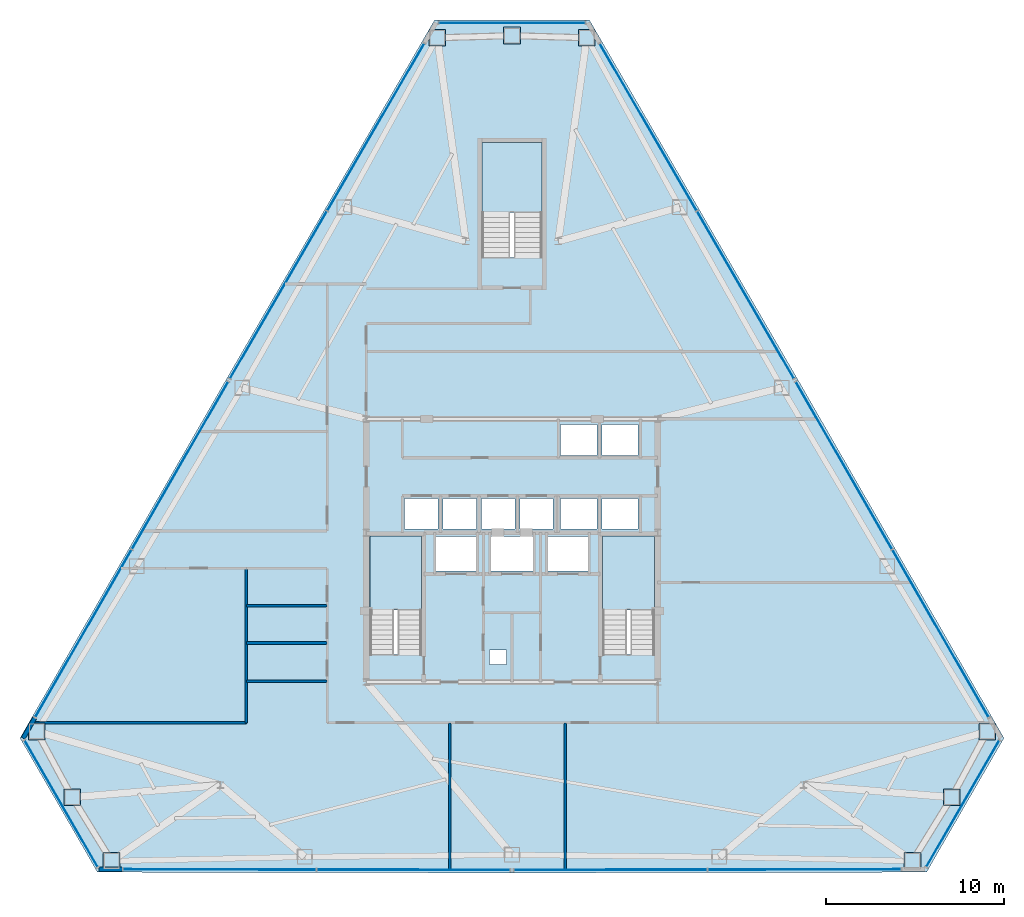
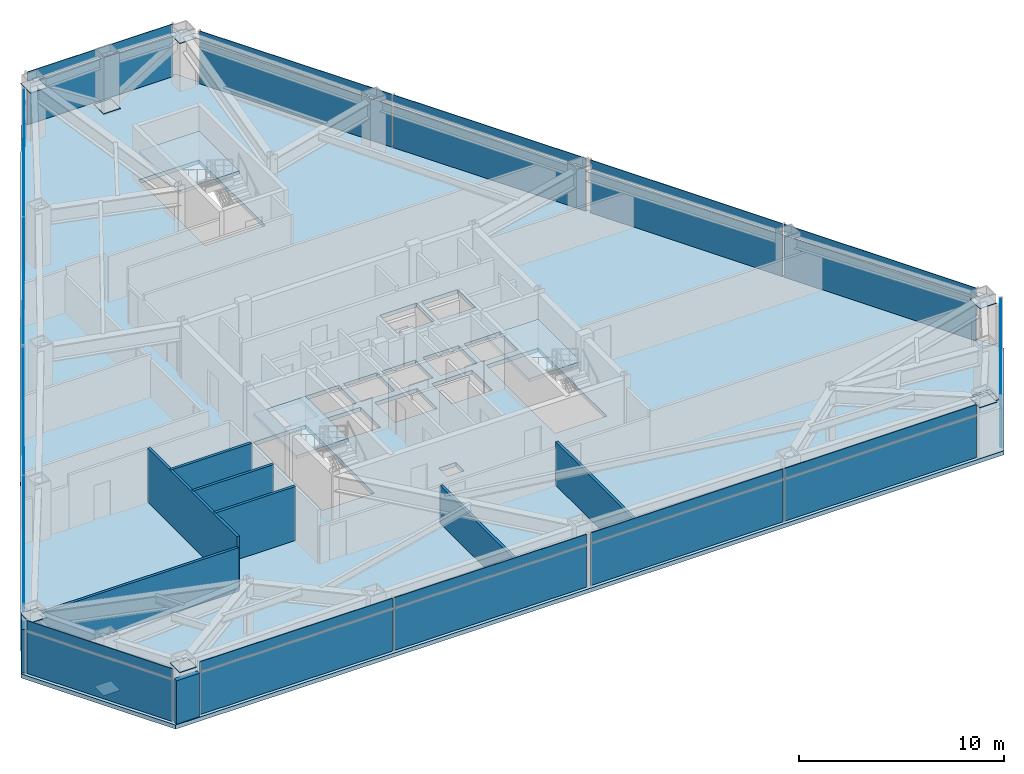
# One storey, part 9 of 13: 39 plates, 9 walls, 4 slabs, 12 elements without a shape of their own.
"""IFC4 building model written with IfcOpenShell, lengths in metres."""

from ifc_helpers import new_model, si_unit, direction, frame, frame_2d, origin, origin_2d, place, context, subcontext, project, spatial, polyline, rectangle, outline, extrude, source, transform, mapped, material, layer, layer_set, type_object, type_shapes, element, aggregate, save


model = new_model("IFC4")

# Units and contexts
model_context = context("Model", 3, precision=1e-05, world=origin(), true_north=direction((0.0, 1.0)))
body_context = subcontext(model_context, "Body", "Model", "MODEL_VIEW")
ifc_project = project(units=[si_unit("LENGTHUNIT", "METRE"), si_unit("AREAUNIT", "SQUARE_METRE"), si_unit("VOLUMEUNIT", "CUBIC_METRE"), si_unit("PLANEANGLEUNIT", "RADIAN"), si_unit("MASSUNIT", "GRAM", prefix="KILO")], contexts=[model_context])

# Site, building, storey
site_placement = place(None, origin())
site = spatial("IfcSite", under=ifc_project, at=site_placement, CompositionType="ELEMENT")
building_placement = place(site_placement, origin())
building = spatial("IfcBuilding", under=site, at=building_placement, Name="Varakhsha Concourse Tower", CompositionType="ELEMENT")
storey_placement = place(building_placement, frame((0.0, 0.0, 122.89990234375)))
storey = spatial("IfcBuildingStorey", under=building, at=storey_placement, Name="L35", CompositionType="ELEMENT", Elevation=122.89990234375)

# Slab
ifc_material_1 = material(Name="Concrete fc 45 MPa", Category="concrete")
ifc_layer_1 = layer(ifc_material_1, 0.239990234375, Name="SL-FLR-240")
ifc_layer_set_1 = layer_set([ifc_layer_1], Name="Concrete fc 45 MPa")
slab_type_1 = type_object("IfcSlabType", Name="SL-FLR-240", PredefinedType="FLOOR", material=ifc_layer_set_1)
slab_1_placement = place(storey_placement, frame((0.0, 0.0, -0.239990234375)))
element("IfcSlab", 1, at=slab_1_placement, inside=storey, type_object=slab_type_1, Name="L35 Composite Structural Slab", PredefinedType="FLOOR", context=body_context, shape_type="SweptSolid", body=[
    extrude(outline(polyline([(44.357177734375, 53.6533203125), (35.642822265625, 53.6533203125), (23.943359375, 33.47021484375), (12.314208984375, 13.246826171875), (16.67138671875, 5.699951171875), (40.0, 5.6591796875), (63.32861328125, 5.699951171875), (67.685791015625, 13.246826171875), (56.056640625, 33.47021484375), (44.357177734375, 53.6533203125)]), holes=[polyline([(34.919921875, 17.93994140625), (34.919921875, 24.6298828125), (32.0, 24.6298828125), (32.0, 17.93994140625), (34.919921875, 17.93994140625)]), polyline([(48.02001953125, 17.93994140625), (48.02001953125, 24.6298828125), (45.10009765625, 24.6298828125), (45.10009765625, 17.93994140625), (48.02001953125, 17.93994140625)]), polyline([(41.699951171875, 40.300048828125), (41.699951171875, 46.75), (38.300048828125, 46.75), (38.300048828125, 40.300048828125), (41.699951171875, 40.300048828125)]), polyline([(33.9599609375, 25.0), (35.840087890625, 25.0), (35.840087890625, 26.739990234375), (33.9599609375, 26.739990234375), (33.9599609375, 25.0)]), polyline([(36.1201171875, 25.0), (38.0, 25.0), (38.0, 26.739990234375), (36.1201171875, 26.739990234375), (36.1201171875, 25.0)]), polyline([(38.280029296875, 25.0), (40.159912109375, 25.0), (40.159912109375, 26.739990234375), (38.280029296875, 26.739990234375), (38.280029296875, 25.0)]), polyline([(40.43994140625, 25.0), (42.320068359375, 25.0), (42.320068359375, 26.739990234375), (40.43994140625, 26.739990234375), (40.43994140625, 25.0)]), polyline([(42.739990234375, 29.159912109375), (44.780029296875, 29.159912109375), (44.780029296875, 30.89990234375), (42.739990234375, 30.89990234375), (42.739990234375, 29.159912109375)]), polyline([(45.06005859375, 29.159912109375), (47.10009765625, 29.159912109375), (47.10009765625, 30.89990234375), (45.06005859375, 30.89990234375), (45.06005859375, 29.159912109375)]), polyline([(42.739990234375, 25.0), (44.780029296875, 25.0), (44.780029296875, 26.739990234375), (42.739990234375, 26.739990234375), (42.739990234375, 25.0)]), polyline([(45.06005859375, 25.0), (47.10009765625, 25.0), (47.10009765625, 26.739990234375), (45.06005859375, 26.739990234375), (45.06005859375, 25.0)]), polyline([(35.7099609375, 22.639892578125), (37.989990234375, 22.639892578125), (37.989990234375, 24.60009765625), (35.7099609375, 24.60009765625), (35.7099609375, 22.639892578125)]), polyline([(42.010009765625, 22.639892578125), (44.2900390625, 22.639892578125), (44.2900390625, 24.60009765625), (42.010009765625, 24.60009765625), (42.010009765625, 22.639892578125)]), polyline([(38.81005859375, 22.639892578125), (41.18994140625, 22.639892578125), (41.18994140625, 24.60009765625), (38.81005859375, 24.60009765625), (38.81005859375, 22.639892578125)]), polyline([(38.719970703125, 17.39990234375), (39.679931640625, 17.39990234375), (39.679931640625, 18.199951171875), (38.719970703125, 18.199951171875), (38.719970703125, 17.39990234375)])]), origin(), (0.0, 0.0, 1.0), 0.239990234375),
])

# Stair, slab
stair_type_1 = type_object("IfcStairType", Name="ST-DOGLEG-1360", PredefinedType="HALF_TURN_STAIR", material=ifc_material_1)
stair_1_placement = place(storey_placement, origin())
stair_1 = element("IfcStair", 2, at=stair_1_placement, inside=storey, type_object=stair_type_1, Name="L35 Protected Exit Stair ST1", PredefinedType="HALF_TURN_STAIR")
ifc_layer_2 = layer(ifc_material_1, 0.199951171875, Name="SL-LAND-200")
ifc_layer_set_2 = layer_set([ifc_layer_2], Name="Concrete fc 45 MPa")
slab_type_2 = type_object("IfcSlabType", Name="SL-LAND-200", PredefinedType="LANDING", material=ifc_layer_set_2)
slab_2_placement = place(storey_placement, frame((0.0, 0.0, 1.525146484375)))
slab_2 = element("IfcSlab", 3, at=slab_2_placement, type_object=slab_type_2, Name="ST1 landing 1", PredefinedType="LANDING", context=body_context, shape_type="SweptSolid", body=[
    extrude(outline(polyline([(34.919921875, 20.4599609375), (34.919921875, 24.6298828125), (32.0, 24.6298828125), (32.0, 20.4599609375), (34.919921875, 20.4599609375)])), origin(), (0.0, 0.0, 1.0), 0.199951171875),
])
aggregate(stair_1, [slab_2])

stair_2_placement = place(storey_placement, origin())
stair_2 = element("IfcStair", 4, at=stair_2_placement, inside=storey, type_object=stair_type_1, Name="L35 Protected Exit Stair ST2", PredefinedType="HALF_TURN_STAIR")
slab_3_placement = place(storey_placement, frame((0.0, 0.0, 1.525146484375)))
slab_3 = element("IfcSlab", 5, at=slab_3_placement, type_object=slab_type_2, Name="ST2 landing 1", PredefinedType="LANDING", context=body_context, shape_type="SweptSolid", body=[
    extrude(outline(polyline([(48.02001953125, 20.4599609375), (48.02001953125, 24.6298828125), (45.10009765625, 24.6298828125), (45.10009765625, 20.4599609375), (48.02001953125, 20.4599609375)])), origin(), (0.0, 0.0, 1.0), 0.199951171875),
])
aggregate(stair_2, [slab_3])

stair_type_2 = type_object("IfcStairType", Name="ST-DOGLEG-1600", PredefinedType="HALF_TURN_STAIR", material=ifc_material_1)
stair_3_placement = place(storey_placement, origin())
stair_3 = element("IfcStair", 6, at=stair_3_placement, inside=storey, type_object=stair_type_2, Name="L35 Protected Exit Stair ST5", PredefinedType="HALF_TURN_STAIR")
slab_4_placement = place(storey_placement, frame((0.0, 0.0, 1.525146484375)))
slab_4 = element("IfcSlab", 7, at=slab_4_placement, type_object=slab_type_2, Name="ST5 landing 1", PredefinedType="LANDING", context=body_context, shape_type="SweptSolid", body=[
    extrude(outline(polyline([(41.699951171875, 42.820068359375), (41.699951171875, 46.75), (38.300048828125, 46.75), (38.300048828125, 42.820068359375), (41.699951171875, 42.820068359375)])), origin(), (0.0, 0.0, 1.0), 0.199951171875),
])
aggregate(stair_3, [slab_4])

# Plates
ifc_material_2 = material(Name="Structural Steel ASTM A572 Grade 50", Category="steel")
ifc_layer_3 = layer(ifc_material_2, 0.030029296875, Name="PL-ENDCAP-950")
ifc_layer_set_3 = layer_set([ifc_layer_3], Name="Structural Steel ASTM A572 Grade 50")
plate_type_1 = type_object("IfcPlateType", Name="PL-ENDCAP-950", PredefinedType="USERDEFINED", material=ifc_layer_set_3)
shared_shape_1 = source(origin(), body_context, "Body", "SweptSolid", [
    extrude(rectangle(XDim=0.949951171875, YDim=0.949951171875, at=origin_2d()), origin(), (0.0, 0.0, 1.0), 0.030029296875),
])
type_shapes(plate_type_1, [shared_shape_1])
for number, where, z_axis, x_axis, name in (
    (8, (40.0, 52.773193359375, 0.10498046875), (0.0, 0.0, 1.0), (1.0, 0.0, 0.0), "Hollow Section End Cap GP-NODE-L35-0334"),
    (9, (44.208984375, 52.652099609375, 2.89501953125), (0.0, 0.0, 1.0), (1.0, 0.0, 0.0), "Hollow Section End Cap GP-NODE-L35-0335"),
    (10, (35.791015625, 52.652099609375, 2.89501953125), (0.0, 0.0, 1.0), (1.0, 0.0, 0.0), "Hollow Section End Cap GP-NODE-L35-0336"),
    (11, (15.2548828125, 9.913330078125, 0.10498046875), (0.0, 0.0, 1.0), (1.0, 0.0, 0.0), "Hollow Section End Cap GP-NODE-L35-0337"),
    (12, (13.255126953125, 13.619140625, 2.89501953125), (0.0, 0.0, 1.0), (1.0, 0.0, 0.0), "Hollow Section End Cap GP-NODE-L35-0338"),
    (13, (17.46435546875, 6.328857421875, 2.89501953125), (0.0, 0.0, 1.0), (1.0, 0.0, 0.0), "Hollow Section End Cap GP-NODE-L35-0339"),
    (14, (64.7451171875, 9.913330078125, 0.10498046875), (0.0, 0.0, 1.0), (1.0, 0.0, 0.0), "Hollow Section End Cap GP-NODE-L35-0340"),
    (15, (62.53564453125, 6.328857421875, 2.89501953125), (0.0, 0.0, 1.0), (1.0, 0.0, 0.0), "Hollow Section End Cap GP-NODE-L35-0341"),
    (16, (66.744873046875, 13.619140625, 2.89501953125), (0.0, 0.0, 1.0), (1.0, 0.0, 0.0), "Hollow Section End Cap GP-NODE-L35-0342"),
):
    element("IfcPlate", number, at=place(storey_placement, frame(where, z_axis=z_axis, x_axis=x_axis)), inside=storey, type_object=plate_type_1, Name=name, ObjectType="END PLATE", PredefinedType="USERDEFINED", context=body_context, shape_type="MappedRepresentation", body=[
        mapped(shared_shape_1, transform((0.0, 0.0, 0.0), scale=1.0)),
    ])

# Curtain wall, plate
ifc_material_3 = material(Name="Anodised Bronze Architectural Aluminium AA 6063-T6", Category="aluminium")
ifc_layer_4 = layer(ifc_material_3, 0.2099609375, Name="CW-SYS-04")
ifc_layer_set_4 = layer_set([ifc_layer_4], Name="Anodised Bronze Architectural Aluminium AA 6063-T6")
curtain_wall_type = type_object("IfcCurtainWallType", Name="CW-SYS-04", PredefinedType="NOTDEFINED", material=ifc_layer_set_4)
curtain_wall_1_placement = place(storey_placement, origin())
curtain_wall_1 = element("IfcCurtainWall", 17, at=curtain_wall_1_placement, inside=storey, type_object=curtain_wall_type, Name="L35 Crystal Curtain Wall F2", PredefinedType="NOTDEFINED")
ifc_material_4 = material(Name="Low-E Triple Insulating Glass IGU 44 mm", Category="glass")
ifc_layer_5 = layer(ifc_material_4, 0.0439453125, Name="CWP-IGU-44")
ifc_layer_set_5 = layer_set([ifc_layer_5], Name="Low-E Triple Insulating Glass IGU 44 mm")
plate_type_2 = type_object("IfcPlateType", Name="CWP-IGU-44", PredefinedType="CURTAIN_PANEL", material=ifc_layer_set_5)
shared_shape_2 = source(origin(), body_context, "Body", "SweptSolid", [
    extrude(rectangle(XDim=10.83544921875, YDim=0.0439453125, at=origin_2d()), origin(), (0.0, 0.0, 1.0), 2.490966796875),
])
plate_1_placement = place(storey_placement, frame((26.858642578125, 38.1806640625, 0.03466796875), z_axis=(0.0, 0.0, 1.0), x_axis=(0.501513757105, 0.865149669962, 0.0)))
plate_1 = element("IfcPlate", 18, at=plate_1_placement, type_object=plate_type_2, Name="CW-L35-F2 Panel 00-00", PredefinedType="CURTAIN_PANEL", context=body_context, shape_type="MappedRepresentation", body=[
    mapped(shared_shape_2, transform((0.0, 0.0, 0.0), scale=1.0)),
])

curtain_wall_2_placement = place(storey_placement, origin())
curtain_wall_2 = element("IfcCurtainWall", 19, at=curtain_wall_2_placement, inside=storey, type_object=curtain_wall_type, Name="L35 Crystal Curtain Wall F9", PredefinedType="NOTDEFINED")
plate_2_placement = place(storey_placement, frame((47.667724609375, 47.623046875, 0.03466796875), z_axis=(0.0, 0.0, 1.0), x_axis=(0.501513757105, -0.865149669962, 0.0)))
plate_2 = element("IfcPlate", 20, at=plate_2_placement, type_object=plate_type_2, Name="CW-L35-F9 Panel 00-00", PredefinedType="CURTAIN_PANEL", context=body_context, shape_type="MappedRepresentation", body=[
    mapped(shared_shape_2, transform((0.0, 0.0, 0.0), scale=1.0)),
])

# Plate
ifc_material_5 = material(Name="Glazed Turquoise-Bronze Ceramic Spandrel Panel 38 mm", Category="ceramic")
ifc_layer_6 = layer(ifc_material_5, 0.0380859375, Name="CWP-SPN-38")
ifc_layer_set_6 = layer_set([ifc_layer_6], Name="Glazed Turquoise-Bronze Ceramic Spandrel Panel 38 mm")
plate_type_3 = type_object("IfcPlateType", Name="CWP-SPN-38", PredefinedType="USERDEFINED", material=ifc_layer_set_6)
shared_shape_3 = source(origin(), body_context, "Body", "SweptSolid", [
    extrude(rectangle(XDim=10.83544921875, YDim=0.0380859375, at=origin_2d()), origin(), (0.0, 0.0, 1.0), 0.5810546875),
])
plate_3_placement = place(storey_placement, frame((26.858642578125, 38.1806640625, 2.594482421875), z_axis=(0.0, 0.0, 1.0), x_axis=(0.501513757105, 0.865149669962, 0.0)))
plate_3 = element("IfcPlate", 21, at=plate_3_placement, type_object=plate_type_3, Name="CW-L35-F2 Panel 00-01", ObjectType="SPANDREL", PredefinedType="USERDEFINED", context=body_context, shape_type="MappedRepresentation", body=[
    mapped(shared_shape_3, transform((0.0, 0.0, 0.0), scale=1.0)),
])

plate_4_placement = place(storey_placement, frame((47.667724609375, 47.623046875, 2.594482421875), z_axis=(0.0, 0.0, 1.0), x_axis=(0.501513757105, -0.865149669962, 0.0)))
plate_4 = element("IfcPlate", 22, at=plate_4_placement, type_object=plate_type_3, Name="CW-L35-F9 Panel 00-01", ObjectType="SPANDREL", PredefinedType="USERDEFINED", context=body_context, shape_type="MappedRepresentation", body=[
    mapped(shared_shape_3, transform((0.0, 0.0, 0.0), scale=1.0)),
])

shared_shape_4 = source(origin(), body_context, "Body", "SweptSolid", [
    extrude(rectangle(XDim=10.835205078125, YDim=0.0439453125, at=origin_2d()), origin(), (0.0, 0.0, 1.0), 2.490966796875),
])
type_shapes(plate_type_2, [shared_shape_2, shared_shape_4])
plate_5_placement = place(storey_placement, frame((32.33251953125, 47.623046875, 0.03466796875), z_axis=(0.0, 0.0, 1.0), x_axis=(0.501513757105, 0.865149669962, 0.0)))
plate_5 = element("IfcPlate", 23, at=plate_5_placement, type_object=plate_type_2, Name="CW-L35-F2 Panel 01-00", PredefinedType="CURTAIN_PANEL", context=body_context, shape_type="MappedRepresentation", body=[
    mapped(shared_shape_4, transform((0.0, 0.0, 0.0), scale=1.0)),
])

# Curtain wall, plates
curtain_wall_3_placement = place(storey_placement, origin())
curtain_wall_3 = element("IfcCurtainWall", 24, at=curtain_wall_3_placement, inside=storey, type_object=curtain_wall_type, Name="L35 Crystal Curtain Wall F3", PredefinedType="NOTDEFINED")
plate_6_placement = place(storey_placement, frame((15.881103515625, 19.12890625, 0.03466796875), z_axis=(0.0, 0.0, 1.0), x_axis=(0.498489252773, 0.866895878909, 0.0)))
plate_6 = element("IfcPlate", 25, at=plate_6_placement, type_object=plate_type_2, Name="CW-L35-F3 Panel 00-00", PredefinedType="CURTAIN_PANEL", context=body_context, shape_type="MappedRepresentation", body=[
    mapped(shared_shape_4, transform((0.0, 0.0, 0.0), scale=1.0)),
])
plate_7_placement = place(storey_placement, frame((21.32177734375, 28.59033203125, 0.03466796875), z_axis=(0.0, 0.0, 1.0), x_axis=(0.498489252773, 0.866895878909, 0.0)))
plate_7 = element("IfcPlate", 26, at=plate_7_placement, type_object=plate_type_2, Name="CW-L35-F3 Panel 01-00", PredefinedType="CURTAIN_PANEL", context=body_context, shape_type="MappedRepresentation", body=[
    mapped(shared_shape_4, transform((0.0, 0.0, 0.0), scale=1.0)),
])

curtain_wall_4_placement = place(storey_placement, origin())
curtain_wall_4 = element("IfcCurtainWall", 27, at=curtain_wall_4_placement, inside=storey, type_object=curtain_wall_type, Name="L35 Crystal Curtain Wall F5", PredefinedType="NOTDEFINED")
plate_8_placement = place(storey_placement, frame((34.463134765625, 5.828857421875, 0.03466796875), z_axis=(0.0, 0.0, 1.0), x_axis=(-0.999998476913, 0.001745328366, 0.0)))
plate_8 = element("IfcPlate", 28, at=plate_8_placement, type_object=plate_type_2, Name="CW-L35-F5 Panel 00-00", PredefinedType="CURTAIN_PANEL", context=body_context, shape_type="MappedRepresentation", body=[
    mapped(shared_shape_4, transform((0.0, 0.0, 0.0), scale=1.0)),
])
plate_9_placement = place(storey_placement, frame((23.548828125, 5.847900390625, 0.03466796875), z_axis=(0.0, 0.0, 1.0), x_axis=(-0.999998476913, 0.001745328366, 0.0)))
plate_9 = element("IfcPlate", 29, at=plate_9_placement, type_object=plate_type_2, Name="CW-L35-F5 Panel 01-00", PredefinedType="CURTAIN_PANEL", context=body_context, shape_type="MappedRepresentation", body=[
    mapped(shared_shape_4, transform((0.0, 0.0, 0.0), scale=1.0)),
])

curtain_wall_5_placement = place(storey_placement, origin())
curtain_wall_5 = element("IfcCurtainWall", 30, at=curtain_wall_5_placement, inside=storey, type_object=curtain_wall_type, Name="L35 Crystal Curtain Wall F6", PredefinedType="NOTDEFINED")
plate_10_placement = place(storey_placement, frame((56.451171875, 5.847900390625, 0.03466796875), z_axis=(0.0, 0.0, 1.0), x_axis=(-0.999998476913, -0.001745328366, 0.0)))
plate_10 = element("IfcPlate", 31, at=plate_10_placement, type_object=plate_type_2, Name="CW-L35-F6 Panel 00-00", PredefinedType="CURTAIN_PANEL", context=body_context, shape_type="MappedRepresentation", body=[
    mapped(shared_shape_4, transform((0.0, 0.0, 0.0), scale=1.0)),
])
plate_11_placement = place(storey_placement, frame((45.536865234375, 5.828857421875, 0.03466796875), z_axis=(0.0, 0.0, 1.0), x_axis=(-0.999998476913, -0.001745328366, 0.0)))
plate_11 = element("IfcPlate", 32, at=plate_11_placement, type_object=plate_type_2, Name="CW-L35-F6 Panel 01-00", PredefinedType="CURTAIN_PANEL", context=body_context, shape_type="MappedRepresentation", body=[
    mapped(shared_shape_4, transform((0.0, 0.0, 0.0), scale=1.0)),
])

curtain_wall_6_placement = place(storey_placement, origin())
curtain_wall_6 = element("IfcCurtainWall", 33, at=curtain_wall_6_placement, inside=storey, type_object=curtain_wall_type, Name="L35 Crystal Curtain Wall F8", PredefinedType="NOTDEFINED")
plate_12_placement = place(storey_placement, frame((58.67822265625, 28.59033203125, 0.03466796875), z_axis=(0.0, 0.0, 1.0), x_axis=(0.498489252773, -0.866895878909, 0.0)))
plate_12 = element("IfcPlate", 34, at=plate_12_placement, type_object=plate_type_2, Name="CW-L35-F8 Panel 00-00", PredefinedType="CURTAIN_PANEL", context=body_context, shape_type="MappedRepresentation", body=[
    mapped(shared_shape_4, transform((0.0, 0.0, 0.0), scale=1.0)),
])
plate_13_placement = place(storey_placement, frame((64.118896484375, 19.12890625, 0.03466796875), z_axis=(0.0, 0.0, 1.0), x_axis=(0.498489252773, -0.866895878909, 0.0)))
plate_13 = element("IfcPlate", 35, at=plate_13_placement, type_object=plate_type_2, Name="CW-L35-F8 Panel 01-00", PredefinedType="CURTAIN_PANEL", context=body_context, shape_type="MappedRepresentation", body=[
    mapped(shared_shape_4, transform((0.0, 0.0, 0.0), scale=1.0)),
])

# Plate
plate_14_placement = place(storey_placement, frame((53.141357421875, 38.1806640625, 0.03466796875), z_axis=(0.0, 0.0, 1.0), x_axis=(0.501513757105, -0.865149669962, 0.0)))
plate_14 = element("IfcPlate", 36, at=plate_14_placement, type_object=plate_type_2, Name="CW-L35-F9 Panel 01-00", PredefinedType="CURTAIN_PANEL", context=body_context, shape_type="MappedRepresentation", body=[
    mapped(shared_shape_4, transform((0.0, 0.0, 0.0), scale=1.0)),
])

shared_shape_5 = source(origin(), body_context, "Body", "SweptSolid", [
    extrude(rectangle(XDim=10.835205078125, YDim=0.0380859375, at=origin_2d()), origin(), (0.0, 0.0, 1.0), 0.5810546875),
])
plate_15_placement = place(storey_placement, frame((32.33251953125, 47.623046875, 2.594482421875), z_axis=(0.0, 0.0, 1.0), x_axis=(0.501513757105, 0.865149669962, 0.0)))
plate_15 = element("IfcPlate", 37, at=plate_15_placement, type_object=plate_type_3, Name="CW-L35-F2 Panel 01-01", ObjectType="SPANDREL", PredefinedType="USERDEFINED", context=body_context, shape_type="MappedRepresentation", body=[
    mapped(shared_shape_5, transform((0.0, 0.0, 0.0), scale=1.0)),
])

aggregate(curtain_wall_1, [plate_1, plate_3, plate_5, plate_15])

plate_16_placement = place(storey_placement, frame((15.881103515625, 19.12890625, 2.594482421875), z_axis=(0.0, 0.0, 1.0), x_axis=(0.498489252773, 0.866895878909, 0.0)))
plate_16 = element("IfcPlate", 38, at=plate_16_placement, type_object=plate_type_3, Name="CW-L35-F3 Panel 00-01", ObjectType="SPANDREL", PredefinedType="USERDEFINED", context=body_context, shape_type="MappedRepresentation", body=[
    mapped(shared_shape_5, transform((0.0, 0.0, 0.0), scale=1.0)),
])

plate_17_placement = place(storey_placement, frame((21.32177734375, 28.59033203125, 2.594482421875), z_axis=(0.0, 0.0, 1.0), x_axis=(0.498489252773, 0.866895878909, 0.0)))
plate_17 = element("IfcPlate", 39, at=plate_17_placement, type_object=plate_type_3, Name="CW-L35-F3 Panel 01-01", ObjectType="SPANDREL", PredefinedType="USERDEFINED", context=body_context, shape_type="MappedRepresentation", body=[
    mapped(shared_shape_5, transform((0.0, 0.0, 0.0), scale=1.0)),
])

aggregate(curtain_wall_3, [plate_6, plate_16, plate_7, plate_17])

plate_18_placement = place(storey_placement, frame((34.463134765625, 5.828857421875, 2.594482421875), z_axis=(0.0, 0.0, 1.0), x_axis=(-0.999998476913, 0.001745328366, 0.0)))
plate_18 = element("IfcPlate", 40, at=plate_18_placement, type_object=plate_type_3, Name="CW-L35-F5 Panel 00-01", ObjectType="SPANDREL", PredefinedType="USERDEFINED", context=body_context, shape_type="MappedRepresentation", body=[
    mapped(shared_shape_5, transform((0.0, 0.0, 0.0), scale=1.0)),
])

plate_19_placement = place(storey_placement, frame((23.548828125, 5.847900390625, 2.594482421875), z_axis=(0.0, 0.0, 1.0), x_axis=(-0.999998476913, 0.001745328366, 0.0)))
plate_19 = element("IfcPlate", 41, at=plate_19_placement, type_object=plate_type_3, Name="CW-L35-F5 Panel 01-01", ObjectType="SPANDREL", PredefinedType="USERDEFINED", context=body_context, shape_type="MappedRepresentation", body=[
    mapped(shared_shape_5, transform((0.0, 0.0, 0.0), scale=1.0)),
])

aggregate(curtain_wall_4, [plate_8, plate_18, plate_9, plate_19])

plate_20_placement = place(storey_placement, frame((56.451171875, 5.847900390625, 2.594482421875), z_axis=(0.0, 0.0, 1.0), x_axis=(-0.999998476913, -0.001745328366, 0.0)))
plate_20 = element("IfcPlate", 42, at=plate_20_placement, type_object=plate_type_3, Name="CW-L35-F6 Panel 00-01", ObjectType="SPANDREL", PredefinedType="USERDEFINED", context=body_context, shape_type="MappedRepresentation", body=[
    mapped(shared_shape_5, transform((0.0, 0.0, 0.0), scale=1.0)),
])

plate_21_placement = place(storey_placement, frame((45.536865234375, 5.828857421875, 2.594482421875), z_axis=(0.0, 0.0, 1.0), x_axis=(-0.999998476913, -0.001745328366, 0.0)))
plate_21 = element("IfcPlate", 43, at=plate_21_placement, type_object=plate_type_3, Name="CW-L35-F6 Panel 01-01", ObjectType="SPANDREL", PredefinedType="USERDEFINED", context=body_context, shape_type="MappedRepresentation", body=[
    mapped(shared_shape_5, transform((0.0, 0.0, 0.0), scale=1.0)),
])

aggregate(curtain_wall_5, [plate_10, plate_20, plate_11, plate_21])

plate_22_placement = place(storey_placement, frame((58.67822265625, 28.59033203125, 2.594482421875), z_axis=(0.0, 0.0, 1.0), x_axis=(0.498489252773, -0.866895878909, 0.0)))
plate_22 = element("IfcPlate", 44, at=plate_22_placement, type_object=plate_type_3, Name="CW-L35-F8 Panel 00-01", ObjectType="SPANDREL", PredefinedType="USERDEFINED", context=body_context, shape_type="MappedRepresentation", body=[
    mapped(shared_shape_5, transform((0.0, 0.0, 0.0), scale=1.0)),
])

plate_23_placement = place(storey_placement, frame((64.118896484375, 19.12890625, 2.594482421875), z_axis=(0.0, 0.0, 1.0), x_axis=(0.498489252773, -0.866895878909, 0.0)))
plate_23 = element("IfcPlate", 45, at=plate_23_placement, type_object=plate_type_3, Name="CW-L35-F8 Panel 01-01", ObjectType="SPANDREL", PredefinedType="USERDEFINED", context=body_context, shape_type="MappedRepresentation", body=[
    mapped(shared_shape_5, transform((0.0, 0.0, 0.0), scale=1.0)),
])

aggregate(curtain_wall_6, [plate_12, plate_22, plate_13, plate_23])

plate_24_placement = place(storey_placement, frame((53.141357421875, 38.1806640625, 2.594482421875), z_axis=(0.0, 0.0, 1.0), x_axis=(0.501513757105, -0.865149669962, 0.0)))
plate_24 = element("IfcPlate", 46, at=plate_24_placement, type_object=plate_type_3, Name="CW-L35-F9 Panel 01-01", ObjectType="SPANDREL", PredefinedType="USERDEFINED", context=body_context, shape_type="MappedRepresentation", body=[
    mapped(shared_shape_5, transform((0.0, 0.0, 0.0), scale=1.0)),
])

aggregate(curtain_wall_2, [plate_2, plate_4, plate_14, plate_24])

# Curtain wall, plate
curtain_wall_7_placement = place(storey_placement, origin())
curtain_wall_7 = element("IfcCurtainWall", 47, at=curtain_wall_7_placement, inside=storey, type_object=curtain_wall_type, Name="L35 Chamfer Curtain Wall F1", PredefinedType="NOTDEFINED")
ifc_material_6 = material(Name="Insulated Anodised Bronze Aluminium Spandrel 36 mm", Category="aluminium")
ifc_layer_7 = layer(ifc_material_6, 0.035888671875, Name="CWP-SPN-36")
ifc_layer_set_7 = layer_set([ifc_layer_7], Name="Insulated Anodised Bronze Aluminium Spandrel 36 mm")
plate_type_4 = type_object("IfcPlateType", Name="CWP-SPN-36", PredefinedType="USERDEFINED", material=ifc_layer_set_7)
shared_shape_6 = source(origin(), body_context, "Body", "SweptSolid", [
    extrude(rectangle(XDim=8.1953125, YDim=0.035888671875, at=origin_2d()), origin(), (0.0, 0.0, 1.0), 2.490966796875),
])
type_shapes(plate_type_4, [shared_shape_6])
plate_25_placement = place(storey_placement, frame((40.0, 53.4931640625, 0.03466796875), z_axis=(0.0, 0.0, 1.0), x_axis=(1.0, 0.0, 0.0)))
plate_25 = element("IfcPlate", 48, at=plate_25_placement, type_object=plate_type_4, Name="CW-L35-F1 Panel 00-00", ObjectType="SPANDREL", PredefinedType="USERDEFINED", context=body_context, shape_type="MappedRepresentation", body=[
    mapped(shared_shape_6, transform((0.0, 0.0, 0.0), scale=1.0)),
])

curtain_wall_8_placement = place(storey_placement, origin())
curtain_wall_8 = element("IfcCurtainWall", 49, at=curtain_wall_8_placement, inside=storey, type_object=curtain_wall_type, Name="L35 Chamfer Curtain Wall F4", PredefinedType="NOTDEFINED")
plate_26_placement = place(storey_placement, frame((14.63134765625, 9.553466796875, 0.03466796875), z_axis=(0.0, 0.0, 1.0), x_axis=(-0.500001511499, 0.866024531118, 0.0)))
plate_26 = element("IfcPlate", 50, at=plate_26_placement, type_object=plate_type_4, Name="CW-L35-F4 Panel 00-00", ObjectType="SPANDREL", PredefinedType="USERDEFINED", context=body_context, shape_type="MappedRepresentation", body=[
    mapped(shared_shape_6, transform((0.0, 0.0, 0.0), scale=1.0)),
])

curtain_wall_9_placement = place(storey_placement, origin())
curtain_wall_9 = element("IfcCurtainWall", 51, at=curtain_wall_9_placement, inside=storey, type_object=curtain_wall_type, Name="L35 Chamfer Curtain Wall F7", PredefinedType="NOTDEFINED")
plate_27_placement = place(storey_placement, frame((65.36865234375, 9.553466796875, 0.03466796875), z_axis=(0.0, 0.0, 1.0), x_axis=(-0.500001511499, -0.866024531118, 0.0)))
plate_27 = element("IfcPlate", 52, at=plate_27_placement, type_object=plate_type_4, Name="CW-L35-F7 Panel 00-00", ObjectType="SPANDREL", PredefinedType="USERDEFINED", context=body_context, shape_type="MappedRepresentation", body=[
    mapped(shared_shape_6, transform((0.0, 0.0, 0.0), scale=1.0)),
])

# Plate
shared_shape_7 = source(origin(), body_context, "Body", "SweptSolid", [
    extrude(rectangle(XDim=8.1953125, YDim=0.0380859375, at=origin_2d()), origin(), (0.0, 0.0, 1.0), 0.5810546875),
])
type_shapes(plate_type_3, [shared_shape_3, shared_shape_5, shared_shape_7])
plate_28_placement = place(storey_placement, frame((40.0, 53.4931640625, 2.594482421875), z_axis=(0.0, 0.0, 1.0), x_axis=(1.0, 0.0, 0.0)))
plate_28 = element("IfcPlate", 53, at=plate_28_placement, type_object=plate_type_3, Name="CW-L35-F1 Panel 00-01", ObjectType="SPANDREL", PredefinedType="USERDEFINED", context=body_context, shape_type="MappedRepresentation", body=[
    mapped(shared_shape_7, transform((0.0, 0.0, 0.0), scale=1.0)),
])

aggregate(curtain_wall_7, [plate_25, plate_28])

plate_29_placement = place(storey_placement, frame((14.63134765625, 9.553466796875, 2.594482421875), z_axis=(0.0, 0.0, 1.0), x_axis=(-0.500001511499, 0.866024531118, 0.0)))
plate_29 = element("IfcPlate", 54, at=plate_29_placement, type_object=plate_type_3, Name="CW-L35-F4 Panel 00-01", ObjectType="SPANDREL", PredefinedType="USERDEFINED", context=body_context, shape_type="MappedRepresentation", body=[
    mapped(shared_shape_7, transform((0.0, 0.0, 0.0), scale=1.0)),
])

aggregate(curtain_wall_8, [plate_26, plate_29])

plate_30_placement = place(storey_placement, frame((65.36865234375, 9.553466796875, 2.594482421875), z_axis=(0.0, 0.0, 1.0), x_axis=(-0.500001511499, -0.866024531118, 0.0)))
plate_30 = element("IfcPlate", 55, at=plate_30_placement, type_object=plate_type_3, Name="CW-L35-F7 Panel 00-01", ObjectType="SPANDREL", PredefinedType="USERDEFINED", context=body_context, shape_type="MappedRepresentation", body=[
    mapped(shared_shape_7, transform((0.0, 0.0, 0.0), scale=1.0)),
])

aggregate(curtain_wall_9, [plate_27, plate_30])

# Walls
ifc_layer_8 = layer(ifc_material_1, 0.239990234375, Name="WL-EXT-CRN-240")
ifc_layer_set_8 = layer_set([ifc_layer_8], Name="Concrete fc 45 MPa")
wall_type_1 = type_object("IfcWallType", Name="WL-EXT-CRN-240", PredefinedType="SHEAR", material=ifc_layer_set_8)
wall_1_placement = place(storey_placement, frame((13.14208984375, 14.365478515625, 0.0), z_axis=(0.0, 0.0, 1.0), x_axis=(-0.498460550087, -0.86691238312, 0.0)))
element("IfcWall", 56, at=wall_1_placement, inside=storey, type_object=wall_type_1, Name="L35 Wind-Corner Shoulder Wall F3", PredefinedType="SHEAR", context=body_context, shape_type="SweptSolid", body=[
    extrude(rectangle(XDim=1.30126953125, YDim=0.239990234375, at=frame_2d((0.650634765625, 0.0))), origin(), (0.0, 0.0, 1.0), 2.5830078125),
])
wall_2_placement = place(storey_placement, frame((16.752685546875, 5.85986328125, 0.0), z_axis=(0.0, 0.0, 1.0), x_axis=(0.999998574928, -0.001688236199, 0.0)))
element("IfcWall", 57, at=wall_2_placement, inside=storey, type_object=wall_type_1, Name="L35 Wind-Corner Shoulder Wall F5", PredefinedType="SHEAR", context=body_context, shape_type="SweptSolid", body=[
    extrude(rectangle(XDim=1.301513671875, YDim=0.239990234375, at=frame_2d((0.65087890625, 0.0))), origin(), (0.0, 0.0, 1.0), 2.5830078125),
])
ifc_material_7 = material(Name="Fire-Rated Type X Gypsum Partition Assembly", Category="gypsum")
ifc_layer_9 = layer(ifc_material_7, 0.14990234375, Name="WL-PART-150")
ifc_layer_set_9 = layer_set([ifc_layer_9], Name="Fire-Rated Type X Gypsum Partition Assembly")
wall_type_2 = type_object("IfcWallType", Name="WL-PART-150", PredefinedType="PARTITIONING", material=ifc_layer_set_9)
wall_3_placement = place(storey_placement, frame((25.050048828125, 14.10009765625, 0.0), z_axis=(0.0, 0.0, 1.0), x_axis=(0.0, 1.0, 0.0)))
element("IfcWall", 58, at=wall_3_placement, inside=storey, type_object=wall_type_2, Name="L35 Wall C2WC-W-L35", PredefinedType="PARTITIONING", context=body_context, shape_type="SweptSolid", body=[
    extrude(rectangle(XDim=8.699951171875, YDim=0.14990234375, at=frame_2d((4.35009765625, 0.0))), origin(), (0.0, 0.0, 1.0), 3.210205078125),
])
for number, where, z_axis, x_axis, name in (
    (59, (25.050048828125, 16.449951171875, 0.0), (0.0, 0.0, 1.0), (1.0, 0.0, 0.0), "L35 Wall C2WC-S-L35"),
    (60, (25.050048828125, 18.60009765625, 0.0), (0.0, 0.0, 1.0), (1.0, 0.0, 0.0), "L35 Wall C2WC-D1-L35"),
    (61, (25.050048828125, 20.699951171875, 0.0), (0.0, 0.0, 1.0), (1.0, 0.0, 0.0), "L35 Wall C2WC-D2-L35"),
):
    element("IfcWall", number, at=place(storey_placement, frame(where, z_axis=z_axis, x_axis=x_axis)), inside=storey, type_object=wall_type_2, Name=name, PredefinedType="PARTITIONING", context=body_context, shape_type="SweptSolid", body=[
        extrude(rectangle(XDim=4.550048828125, YDim=0.14990234375, at=frame_2d((2.27490234375, 0.0))), origin(), (0.0, 0.0, 1.0), 3.210205078125),
    ])
wall_4_placement = place(storey_placement, frame((36.5, 5.830322265625, 0.0), z_axis=(0.0, 0.0, 1.0), x_axis=(0.0, 1.0, 0.0)))
element("IfcWall", 62, at=wall_4_placement, inside=storey, type_object=wall_type_2, Name="L35 Wall ODIV-S1-L35", PredefinedType="PARTITIONING", context=body_context, shape_type="SweptSolid", body=[
    extrude(rectangle(XDim=8.269775390625, YDim=0.14990234375, at=frame_2d((4.134765625, 0.0))), origin(), (0.0, 0.0, 1.0), 2.252197265625),
])
wall_5_placement = place(storey_placement, frame((43.0, 5.82958984375, 0.0), z_axis=(0.0, 0.0, 1.0), x_axis=(0.0, 1.0, 0.0)))
element("IfcWall", 63, at=wall_5_placement, inside=storey, type_object=wall_type_2, Name="L35 Wall ODIV-S2-L35", PredefinedType="PARTITIONING", context=body_context, shape_type="SweptSolid", body=[
    extrude(rectangle(XDim=8.2705078125, YDim=0.14990234375, at=frame_2d((4.13525390625, 0.0))), origin(), (0.0, 0.0, 1.0), 2.589111328125),
])
wall_6_placement = place(storey_placement, frame((12.9951171875, 14.10009765625, 0.0), z_axis=(0.0, 0.0, 1.0), x_axis=(1.0, 0.0, 0.0)))
element("IfcWall", 64, at=wall_6_placement, inside=storey, type_object=wall_type_2, Name="L35 Wall ODIV-SWB-L35", PredefinedType="PARTITIONING", context=body_context, shape_type="SweptSolid", body=[
    extrude(rectangle(XDim=12.054931640625, YDim=0.14990234375, at=frame_2d((6.02734375, 0.0))), origin(), (0.0, 0.0, 1.0), 2.589111328125),
])

save(model, "model.ifc")
